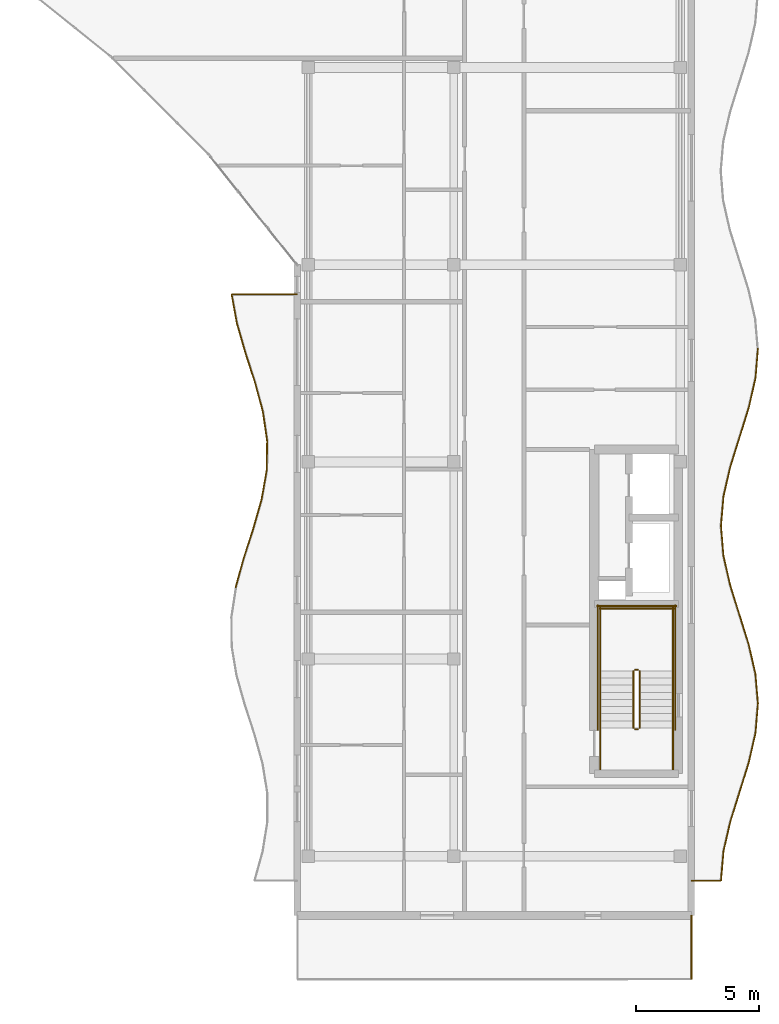
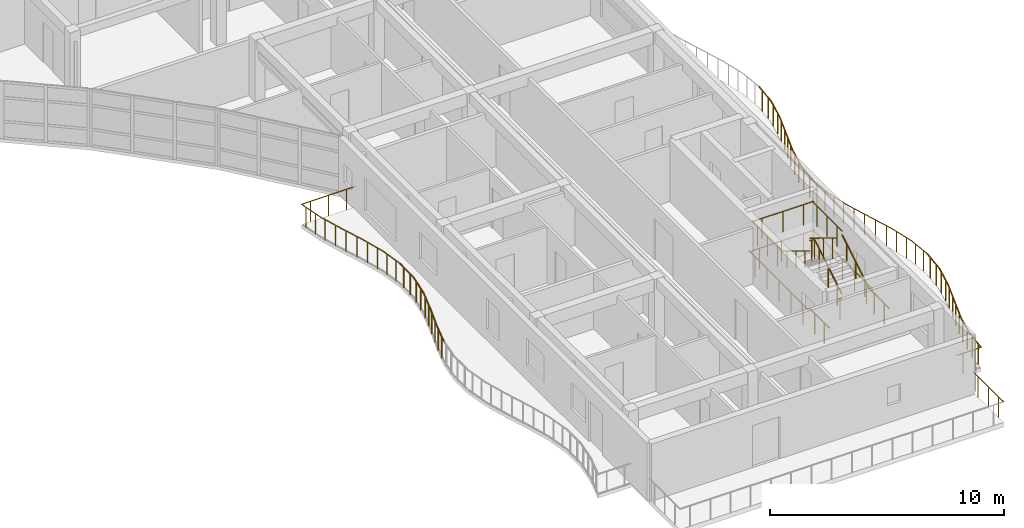
# One storey, part 28 of 30: 45 railings.
"""IFC4 building model written with IfcOpenShell, lengths in metres."""

from ifc_helpers import new_model, si_unit, direction, frame, origin, origin_2d, place, context, subcontext, project, spatial, circle, extrude, material, type_object, element, save


model = new_model("IFC4")

# Units and contexts
model_context = context("Model", 3, precision=1e-05, world=origin(), true_north=direction((0.0, 1.0)))
body_context = subcontext(model_context, "Body", "Model", "MODEL_VIEW")
ifc_project = project(units=[si_unit("LENGTHUNIT", "METRE"), si_unit("AREAUNIT", "SQUARE_METRE"), si_unit("VOLUMEUNIT", "CUBIC_METRE"), si_unit("PLANEANGLEUNIT", "RADIAN"), si_unit("MASSUNIT", "GRAM", prefix="KILO")], contexts=[model_context])

# Site, building, storey
site_placement = place(None, origin())
site = spatial("IfcSite", under=ifc_project, at=site_placement, CompositionType="ELEMENT")
building_placement = place(site_placement, origin())
building = spatial("IfcBuilding", under=site, at=building_placement, Name="Keldmere Railside Commons", CompositionType="ELEMENT")
storey_placement = place(building_placement, frame((0.0, 0.0, 36.159912109375)))
storey = spatial("IfcBuildingStorey", under=building, at=storey_placement, Name="L11", CompositionType="ELEMENT", Elevation=36.159912109375)

# Railings
ifc_material = material(Name="Steel F-24 (S235)", Category="steel")
railing_type_1 = type_object("IfcRailingType", Name="Balcony & Terrace Steel Balustrade 1100", PredefinedType="BALUSTRADE", material=ifc_material)
railing_1_placement = place(storey_placement, frame((165.50390625, 74.89990234375, 0.0)))
element("IfcRailing", 1, at=railing_1_placement, inside=storey, type_object=railing_type_1, Name="GR-1 GRD-L11-4476", PredefinedType="BALUSTRADE", context=body_context, shape_type="SweptSolid", body=[
    extrude(circle(Radius=0.02392578125, at=origin_2d()), frame((0.0, 0.0, 1.076171875), z_axis=(0.265041552489, 0.964236991333, 0.0), x_axis=(-0.964236991333, 0.265041552489, 0.0)), (0.0, 0.0, 1.0), 1.234375),
    extrude(circle(Radius=0.02099609375, at=origin_2d()), frame((0.081787109375, 0.297607421875, 0.0)), (0.0, 0.0, 1.0), 1.048095703125),
    extrude(circle(Radius=0.02099609375, at=origin_2d()), frame((0.245361328125, 0.892578125, 0.0)), (0.0, 0.0, 1.0), 1.048095703125),
])
railing_2_placement = place(storey_placement, frame((165.8310546875, 76.090087890625, 0.0)))
element("IfcRailing", 2, at=railing_2_placement, inside=storey, type_object=railing_type_1, Name="GR-1 GRD-L11-4477", PredefinedType="BALUSTRADE", context=body_context, shape_type="SweptSolid", body=[
    extrude(circle(Radius=0.02392578125, at=origin_2d()), frame((0.0, 0.0, 1.076171875), z_axis=(0.30766435108, 0.951494953783, 0.0), x_axis=(-0.951494953783, 0.30766435108, 0.0)), (0.0, 0.0, 1.0), 1.25048828125),
    extrude(circle(Radius=0.02099609375, at=origin_2d()), frame((0.09619140625, 0.29736328125, 0.0)), (0.0, 0.0, 1.0), 1.048095703125),
    extrude(circle(Radius=0.02099609375, at=origin_2d()), frame((0.28857421875, 0.892578125, 0.0)), (0.0, 0.0, 1.0), 1.048095703125),
])
railing_3_placement = place(storey_placement, frame((166.2158203125, 77.280029296875, 0.0)))
element("IfcRailing", 3, at=railing_3_placement, inside=storey, type_object=railing_type_1, Name="GR-1 GRD-L11-4478", PredefinedType="BALUSTRADE", context=body_context, shape_type="SweptSolid", body=[
    extrude(circle(Radius=0.02392578125, at=origin_2d()), frame((0.0, 0.0, 1.076171875), z_axis=(0.275528552467, 0.961292888133, 0.0), x_axis=(-0.961292888133, 0.275528552467, 0.0)), (0.0, 0.0, 1.0), 1.23779296875),
    extrude(circle(Radius=0.02099609375, at=origin_2d()), frame((0.085205078125, 0.29736328125, 0.0)), (0.0, 0.0, 1.0), 1.048095703125),
    extrude(circle(Radius=0.02099609375, at=origin_2d()), frame((0.255859375, 0.892578125, 0.0)), (0.0, 0.0, 1.0), 1.048095703125),
])
railing_4_placement = place(storey_placement, frame((166.556884765625, 78.469970703125, 0.0)))
element("IfcRailing", 4, at=railing_4_placement, inside=storey, type_object=railing_type_1, Name="GR-1 GRD-L11-4479", PredefinedType="BALUSTRADE", context=body_context, shape_type="SweptSolid", body=[
    extrude(circle(Radius=0.02392578125, at=origin_2d()), frame((0.0, 0.0, 1.076171875), z_axis=(0.171801766482, 0.98513154098, 0.0), x_axis=(-0.98513154098, 0.171801766482, 0.0)), (0.0, 0.0, 1.0), 1.2080078125),
    extrude(circle(Radius=0.02099609375, at=origin_2d()), frame((0.0517578125, 0.29736328125, 0.0)), (0.0, 0.0, 1.0), 1.048095703125),
    extrude(circle(Radius=0.02099609375, at=origin_2d()), frame((0.15576171875, 0.892578125, 0.0)), (0.0, 0.0, 1.0), 1.048095703125),
])
railing_5_placement = place(storey_placement, frame((166.764404296875, 79.659912109375, 0.0)))
element("IfcRailing", 5, at=railing_5_placement, inside=storey, type_object=railing_type_1, Name="GR-1 GRD-L11-4480", PredefinedType="BALUSTRADE", context=body_context, shape_type="SweptSolid", body=[
    extrude(circle(Radius=0.02392578125, at=origin_2d()), frame((0.0, 0.0, 1.076171875), z_axis=(0.016203000841, 0.999868722765, 0.0), x_axis=(-0.999868722765, 0.016203000841, 0.0)), (0.0, 0.0, 1.0), 1.1904296875),
    extrude(circle(Radius=0.02099609375, at=origin_2d()), frame((0.0048828125, 0.297607421875, 0.0)), (0.0, 0.0, 1.0), 1.048095703125),
    extrude(circle(Radius=0.02099609375, at=origin_2d()), frame((0.014404296875, 0.892578125, 0.0)), (0.0, 0.0, 1.0), 1.048095703125),
])
railing_6_placement = place(storey_placement, frame((166.78369140625, 80.85009765625, 0.0)))
element("IfcRailing", 6, at=railing_6_placement, inside=storey, type_object=railing_type_1, Name="GR-1 GRD-L11-4481", PredefinedType="BALUSTRADE", context=body_context, shape_type="SweptSolid", body=[
    extrude(circle(Radius=0.02392578125, at=origin_2d()), frame((0.0, 0.0, 1.076171875), z_axis=(-0.144944603413, 0.98943977176, 0.0), x_axis=(-0.98943977176, -0.144944603413, 0.0)), (0.0, 0.0, 1.0), 1.20263671875),
    extrude(circle(Radius=0.02099609375, at=origin_2d()), frame((-0.04345703125, 0.29736328125, 0.0)), (0.0, 0.0, 1.0), 1.048095703125),
    extrude(circle(Radius=0.02099609375, at=origin_2d()), frame((-0.130859375, 0.892578125, 0.0)), (0.0, 0.0, 1.0), 1.048095703125),
])
railing_7_placement = place(storey_placement, frame((166.609375, 82.0400390625, 0.0)))
element("IfcRailing", 7, at=railing_7_placement, inside=storey, type_object=railing_type_1, Name="GR-1 GRD-L11-4482", PredefinedType="BALUSTRADE", context=body_context, shape_type="SweptSolid", body=[
    extrude(circle(Radius=0.02392578125, at=origin_2d()), frame((0.0, 0.0, 1.076171875), z_axis=(-0.261038723632, 0.965328330033, 0.0), x_axis=(-0.965328330033, -0.261038723632, 0.0)), (0.0, 0.0, 1.0), 1.232666015625),
    extrude(circle(Radius=0.02099609375, at=origin_2d()), frame((-0.08056640625, 0.29736328125, 0.0)), (0.0, 0.0, 1.0), 1.048095703125),
    extrude(circle(Radius=0.02099609375, at=origin_2d()), frame((-0.2412109375, 0.892578125, 0.0)), (0.0, 0.0, 1.0), 1.048095703125),
])
railing_8_placement = place(storey_placement, frame((166.28759765625, 83.22998046875, 0.0)))
element("IfcRailing", 8, at=railing_8_placement, inside=storey, type_object=railing_type_1, Name="GR-1 GRD-L11-4483", PredefinedType="BALUSTRADE", context=body_context, shape_type="SweptSolid", body=[
    extrude(circle(Radius=0.02392578125, at=origin_2d()), frame((0.0, 0.0, 1.076171875), z_axis=(-0.307310808141, 0.951609198779, 0.0), x_axis=(-0.951609198779, -0.307310808141, 0.0)), (0.0, 0.0, 1.0), 1.25048828125),
    extrude(circle(Radius=0.02099609375, at=origin_2d()), frame((-0.09619140625, 0.29736328125, 0.0)), (0.0, 0.0, 1.0), 1.048095703125),
    extrude(circle(Radius=0.02099609375, at=origin_2d()), frame((-0.2880859375, 0.892578125, 0.0)), (0.0, 0.0, 1.0), 1.048095703125),
])
railing_9_placement = place(storey_placement, frame((165.9033203125, 84.419921875, 0.0)))
element("IfcRailing", 9, at=railing_9_placement, inside=storey, type_object=railing_type_1, Name="GR-1 GRD-L11-4484", PredefinedType="BALUSTRADE", context=body_context, shape_type="SweptSolid", body=[
    extrude(circle(Radius=0.02392578125, at=origin_2d()), frame((0.0, 0.0, 1.076171875), z_axis=(-0.278751586617, 0.960363240112, 0.0), x_axis=(-0.960363240112, -0.278751586617, 0.0)), (0.0, 0.0, 1.0), 1.2392578125),
    extrude(circle(Radius=0.02099609375, at=origin_2d()), frame((-0.08642578125, 0.297607421875, 0.0)), (0.0, 0.0, 1.0), 1.048095703125),
    extrude(circle(Radius=0.02099609375, at=origin_2d()), frame((-0.259033203125, 0.892578125, 0.0)), (0.0, 0.0, 1.0), 1.048095703125),
])
railing_10_placement = place(storey_placement, frame((165.557861328125, 85.610107421875, 0.0)))
element("IfcRailing", 10, at=railing_10_placement, inside=storey, type_object=railing_type_1, Name="GR-1 GRD-L11-4485", PredefinedType="BALUSTRADE", context=body_context, shape_type="SweptSolid", body=[
    extrude(circle(Radius=0.02392578125, at=origin_2d()), frame((0.0, 0.0, 1.076171875), z_axis=(-0.178654494581, 0.983911871849, 0.0), x_axis=(-0.983911871849, -0.178654494581, 0.0)), (0.0, 0.0, 1.0), 1.20947265625),
    extrude(circle(Radius=0.02099609375, at=origin_2d()), frame((-0.053955078125, 0.29736328125, 0.0)), (0.0, 0.0, 1.0), 1.048095703125),
    extrude(circle(Radius=0.02099609375, at=origin_2d()), frame((-0.162109375, 0.892578125, 0.0)), (0.0, 0.0, 1.0), 1.048095703125),
])
railing_11_placement = place(storey_placement, frame((165.341796875, 86.800048828125, 0.0)))
element("IfcRailing", 11, at=railing_11_placement, inside=storey, type_object=railing_type_1, Name="GR-1 GRD-L11-4486", PredefinedType="BALUSTRADE", context=body_context, shape_type="SweptSolid", body=[
    extrude(circle(Radius=0.02392578125, at=origin_2d()), frame((0.0, 0.0, 1.076171875), z_axis=(1.0, 0.0, 0.0), x_axis=(0.0, 1.0, 0.0)), (0.0, 0.0, 1.0), 2.658203125),
    extrude(circle(Radius=0.02099609375, at=origin_2d()), frame((0.443115234375, 0.0, 0.0)), (0.0, 0.0, 1.0), 1.048095703125),
    extrude(circle(Radius=0.02099609375, at=origin_2d()), frame((1.3291015625, 0.0, 0.0)), (0.0, 0.0, 1.0), 1.048095703125),
    extrude(circle(Radius=0.02099609375, at=origin_2d()), frame((2.215087890625, 0.0, 0.0)), (0.0, 0.0, 1.0), 1.048095703125),
])
railing_12_placement = place(storey_placement, frame((184.0, 63.0, 0.0)))
element("IfcRailing", 12, at=railing_12_placement, inside=storey, type_object=railing_type_1, Name="GR-1 GRD-L11-4487", PredefinedType="BALUSTRADE", context=body_context, shape_type="SweptSolid", body=[
    extrude(circle(Radius=0.02392578125, at=origin_2d()), frame((0.0, 0.0, 1.076171875), z_axis=(1.0, 0.0, 0.0), x_axis=(0.0, 1.0, 0.0)), (0.0, 0.0, 1.0), 1.199951171875),
    extrude(circle(Radius=0.02099609375, at=origin_2d()), frame((0.300048828125, 0.0, 0.0)), (0.0, 0.0, 1.0), 1.048095703125),
    extrude(circle(Radius=0.02099609375, at=origin_2d()), frame((0.89990234375, 0.0, 0.0)), (0.0, 0.0, 1.0), 1.048095703125),
])
railing_13_placement = place(storey_placement, frame((185.199951171875, 63.0, 0.0)))
element("IfcRailing", 13, at=railing_13_placement, inside=storey, type_object=railing_type_1, Name="GR-1 GRD-L11-4488", PredefinedType="BALUSTRADE", context=body_context, shape_type="SweptSolid", body=[
    extrude(circle(Radius=0.02392578125, at=origin_2d()), frame((0.0, 0.0, 1.076171875), z_axis=(0.084739877729, 0.996403107744, 0.0), x_axis=(-0.996403107744, 0.084739877729, 0.0)), (0.0, 0.0, 1.0), 1.204345703125),
    extrude(circle(Radius=0.02099609375, at=origin_2d()), frame((0.025390625, 0.300048828125, 0.0)), (0.0, 0.0, 1.0), 1.048095703125),
    extrude(circle(Radius=0.02099609375, at=origin_2d()), frame((0.07666015625, 0.89990234375, 0.0)), (0.0, 0.0, 1.0), 1.048095703125),
])
railing_14_placement = place(storey_placement, frame((185.302001953125, 64.199951171875, 0.0)))
element("IfcRailing", 14, at=railing_14_placement, inside=storey, type_object=railing_type_1, Name="GR-1 GRD-L11-4489", PredefinedType="BALUSTRADE", context=body_context, shape_type="SweptSolid", body=[
    extrude(circle(Radius=0.02392578125, at=origin_2d()), frame((0.0, 0.0, 1.076171875), z_axis=(0.224062946507, 0.974574674411, 0.0), x_axis=(-0.974574674411, 0.224062946507, 0.0)), (0.0, 0.0, 1.0), 1.231201171875),
    extrude(circle(Radius=0.02099609375, at=origin_2d()), frame((0.06884765625, 0.300048828125, 0.0)), (0.0, 0.0, 1.0), 1.048095703125),
    extrude(circle(Radius=0.02099609375, at=origin_2d()), frame((0.20703125, 0.89990234375, 0.0)), (0.0, 0.0, 1.0), 1.048095703125),
])
railing_15_placement = place(storey_placement, frame((185.577880859375, 65.39990234375, 0.0)))
element("IfcRailing", 15, at=railing_15_placement, inside=storey, type_object=railing_type_1, Name="GR-1 GRD-L11-4490", PredefinedType="BALUSTRADE", context=body_context, shape_type="SweptSolid", body=[
    extrude(circle(Radius=0.02392578125, at=origin_2d()), frame((0.0, 0.0, 1.076171875), z_axis=(0.298584493099, 0.954383204211, 0.0), x_axis=(-0.954383204211, 0.298584493099, 0.0)), (0.0, 0.0, 1.0), 1.257568359375),
    extrude(circle(Radius=0.02099609375, at=origin_2d()), frame((0.09375, 0.300048828125, 0.0)), (0.0, 0.0, 1.0), 1.048095703125),
    extrude(circle(Radius=0.02099609375, at=origin_2d()), frame((0.28173828125, 0.900146484375, 0.0)), (0.0, 0.0, 1.0), 1.048095703125),
])
railing_16_placement = place(storey_placement, frame((185.953369140625, 66.60009765625, 0.0)))
element("IfcRailing", 16, at=railing_16_placement, inside=storey, type_object=railing_type_1, Name="GR-1 GRD-L11-4491", PredefinedType="BALUSTRADE", context=body_context, shape_type="SweptSolid", body=[
    extrude(circle(Radius=0.02392578125, at=origin_2d()), frame((0.0, 0.0, 1.076171875), z_axis=(0.297932152933, 0.954587048021, 0.0), x_axis=(-0.954587048021, 0.297932152933, 0.0)), (0.0, 0.0, 1.0), 1.257080078125),
    extrude(circle(Radius=0.02099609375, at=origin_2d()), frame((0.09375, 0.300048828125, 0.0)), (0.0, 0.0, 1.0), 1.048095703125),
    extrude(circle(Radius=0.02099609375, at=origin_2d()), frame((0.28076171875, 0.89990234375, 0.0)), (0.0, 0.0, 1.0), 1.048095703125),
])
railing_17_placement = place(storey_placement, frame((186.327880859375, 67.800048828125, 0.0)))
element("IfcRailing", 17, at=railing_17_placement, inside=storey, type_object=railing_type_1, Name="GR-1 GRD-L11-4492", PredefinedType="BALUSTRADE", context=body_context, shape_type="SweptSolid", body=[
    extrude(circle(Radius=0.02392578125, at=origin_2d()), frame((0.0, 0.0, 1.076171875), z_axis=(0.222178384067, 0.97500603365, 0.0), x_axis=(-0.97500603365, 0.222178384067, 0.0)), (0.0, 0.0, 1.0), 1.230712890625),
    extrude(circle(Radius=0.02099609375, at=origin_2d()), frame((0.068359375, 0.300048828125, 0.0)), (0.0, 0.0, 1.0), 1.048095703125),
    extrude(circle(Radius=0.02099609375, at=origin_2d()), frame((0.205078125, 0.89990234375, 0.0)), (0.0, 0.0, 1.0), 1.048095703125),
])
railing_18_placement = place(storey_placement, frame((186.601318359375, 69.0, 0.0)))
element("IfcRailing", 18, at=railing_18_placement, inside=storey, type_object=railing_type_1, Name="GR-1 GRD-L11-4493", PredefinedType="BALUSTRADE", context=body_context, shape_type="SweptSolid", body=[
    extrude(circle(Radius=0.02392578125, at=origin_2d()), frame((0.0, 0.0, 1.076171875), z_axis=(0.081921074928, 0.996638819976, 0.0), x_axis=(-0.996638819976, 0.081921074928, 0.0)), (0.0, 0.0, 1.0), 1.2041015625),
    extrude(circle(Radius=0.02099609375, at=origin_2d()), frame((0.024658203125, 0.300048828125, 0.0)), (0.0, 0.0, 1.0), 1.048095703125),
    extrude(circle(Radius=0.02099609375, at=origin_2d()), frame((0.073974609375, 0.89990234375, 0.0)), (0.0, 0.0, 1.0), 1.048095703125),
])
railing_19_placement = place(storey_placement, frame((186.699951171875, 70.199951171875, 0.0)))
element("IfcRailing", 19, at=railing_19_placement, inside=storey, type_object=railing_type_1, Name="GR-1 GRD-L11-4494", PredefinedType="BALUSTRADE", context=body_context, shape_type="SweptSolid", body=[
    extrude(circle(Radius=0.02392578125, at=origin_2d()), frame((0.0, 0.0, 1.076171875), z_axis=(-0.084739877729, 0.996403107744, 0.0), x_axis=(-0.996403107744, -0.084739877729, 0.0)), (0.0, 0.0, 1.0), 1.204345703125),
    extrude(circle(Radius=0.02099609375, at=origin_2d()), frame((-0.025390625, 0.300048828125, 0.0)), (0.0, 0.0, 1.0), 1.048095703125),
    extrude(circle(Radius=0.02099609375, at=origin_2d()), frame((-0.07666015625, 0.89990234375, 0.0)), (0.0, 0.0, 1.0), 1.048095703125),
])
railing_20_placement = place(storey_placement, frame((186.597900390625, 71.39990234375, 0.0)))
element("IfcRailing", 20, at=railing_20_placement, inside=storey, type_object=railing_type_1, Name="GR-1 GRD-L11-4495", PredefinedType="BALUSTRADE", context=body_context, shape_type="SweptSolid", body=[
    extrude(circle(Radius=0.02392578125, at=origin_2d()), frame((0.0, 0.0, 1.076171875), z_axis=(-0.224019655762, 0.974584626306, 0.0), x_axis=(-0.974584626306, -0.224019655762, 0.0)), (0.0, 0.0, 1.0), 1.2314453125),
    extrude(circle(Radius=0.02099609375, at=origin_2d()), frame((-0.06884765625, 0.300048828125, 0.0)), (0.0, 0.0, 1.0), 1.048095703125),
    extrude(circle(Radius=0.02099609375, at=origin_2d()), frame((-0.20703125, 0.900146484375, 0.0)), (0.0, 0.0, 1.0), 1.048095703125),
])
railing_21_placement = place(storey_placement, frame((186.322021484375, 72.60009765625, 0.0)))
element("IfcRailing", 21, at=railing_21_placement, inside=storey, type_object=railing_type_1, Name="GR-1 GRD-L11-4496", PredefinedType="BALUSTRADE", context=body_context, shape_type="SweptSolid", body=[
    extrude(circle(Radius=0.02392578125, at=origin_2d()), frame((0.0, 0.0, 1.076171875), z_axis=(-0.298462953287, 0.954421220172, 0.0), x_axis=(-0.954421220172, -0.298462953287, 0.0)), (0.0, 0.0, 1.0), 1.25732421875),
    extrude(circle(Radius=0.02099609375, at=origin_2d()), frame((-0.09375, 0.300048828125, 0.0)), (0.0, 0.0, 1.0), 1.048095703125),
    extrude(circle(Radius=0.02099609375, at=origin_2d()), frame((-0.281494140625, 0.89990234375, 0.0)), (0.0, 0.0, 1.0), 1.048095703125),
])
railing_22_placement = place(storey_placement, frame((185.94677734375, 73.800048828125, 0.0)))
element("IfcRailing", 22, at=railing_22_placement, inside=storey, type_object=railing_type_1, Name="GR-1 GRD-L11-4497", PredefinedType="BALUSTRADE", context=body_context, shape_type="SweptSolid", body=[
    extrude(circle(Radius=0.02392578125, at=origin_2d()), frame((0.0, 0.0, 1.076171875), z_axis=(-0.298109117121, 0.954531798469, 0.0), x_axis=(-0.954531798469, -0.298109117121, 0.0)), (0.0, 0.0, 1.0), 1.257080078125),
    extrude(circle(Radius=0.02099609375, at=origin_2d()), frame((-0.09375, 0.300048828125, 0.0)), (0.0, 0.0, 1.0), 1.048095703125),
    extrude(circle(Radius=0.02099609375, at=origin_2d()), frame((-0.281005859375, 0.89990234375, 0.0)), (0.0, 0.0, 1.0), 1.048095703125),
])
railing_23_placement = place(storey_placement, frame((185.572021484375, 75.0, 0.0)))
element("IfcRailing", 23, at=railing_23_placement, inside=storey, type_object=railing_type_1, Name="GR-1 GRD-L11-4498", PredefinedType="BALUSTRADE", context=body_context, shape_type="SweptSolid", body=[
    extrude(circle(Radius=0.02392578125, at=origin_2d()), frame((0.0, 0.0, 1.076171875), z_axis=(-0.221989790405, 0.975048990029, 0.0), x_axis=(-0.975048990029, -0.221989790405, 0.0)), (0.0, 0.0, 1.0), 1.230712890625),
    extrude(circle(Radius=0.02099609375, at=origin_2d()), frame((-0.068359375, 0.300048828125, 0.0)), (0.0, 0.0, 1.0), 1.048095703125),
    extrude(circle(Radius=0.02099609375, at=origin_2d()), frame((-0.204833984375, 0.89990234375, 0.0)), (0.0, 0.0, 1.0), 1.048095703125),
])
railing_24_placement = place(storey_placement, frame((185.298828125, 76.199951171875, 0.0)))
element("IfcRailing", 24, at=railing_24_placement, inside=storey, type_object=railing_type_1, Name="GR-1 GRD-L11-4499", PredefinedType="BALUSTRADE", context=body_context, shape_type="SweptSolid", body=[
    extrude(circle(Radius=0.02392578125, at=origin_2d()), frame((0.0, 0.0, 1.076171875), z_axis=(-0.082122484008, 0.996622244193, 0.0), x_axis=(-0.996622244193, -0.082122484008, 0.0)), (0.0, 0.0, 1.0), 1.2041015625),
    extrude(circle(Radius=0.02099609375, at=origin_2d()), frame((-0.024658203125, 0.300048828125, 0.0)), (0.0, 0.0, 1.0), 1.048095703125),
    extrude(circle(Radius=0.02099609375, at=origin_2d()), frame((-0.07421875, 0.89990234375, 0.0)), (0.0, 0.0, 1.0), 1.048095703125),
])
railing_25_placement = place(storey_placement, frame((185.199951171875, 77.39990234375, 0.0)))
element("IfcRailing", 25, at=railing_25_placement, inside=storey, type_object=railing_type_1, Name="GR-1 GRD-L11-4500", PredefinedType="BALUSTRADE", context=body_context, shape_type="SweptSolid", body=[
    extrude(circle(Radius=0.02392578125, at=origin_2d()), frame((0.0, 0.0, 1.076171875), z_axis=(0.084722763905, 0.996404563055, 0.0), x_axis=(-0.996404563055, 0.084722763905, 0.0)), (0.0, 0.0, 1.0), 1.20458984375),
    extrude(circle(Radius=0.02099609375, at=origin_2d()), frame((0.025390625, 0.300048828125, 0.0)), (0.0, 0.0, 1.0), 1.048095703125),
    extrude(circle(Radius=0.02099609375, at=origin_2d()), frame((0.07666015625, 0.900146484375, 0.0)), (0.0, 0.0, 1.0), 1.048095703125),
])
railing_26_placement = place(storey_placement, frame((185.302001953125, 78.60009765625, 0.0)))
element("IfcRailing", 26, at=railing_26_placement, inside=storey, type_object=railing_type_1, Name="GR-1 GRD-L11-4501", PredefinedType="BALUSTRADE", context=body_context, shape_type="SweptSolid", body=[
    extrude(circle(Radius=0.02392578125, at=origin_2d()), frame((0.0, 0.0, 1.076171875), z_axis=(0.224062946507, 0.974574674411, 0.0), x_axis=(-0.974574674411, 0.224062946507, 0.0)), (0.0, 0.0, 1.0), 1.231201171875),
    extrude(circle(Radius=0.02099609375, at=origin_2d()), frame((0.06884765625, 0.300048828125, 0.0)), (0.0, 0.0, 1.0), 1.048095703125),
    extrude(circle(Radius=0.02099609375, at=origin_2d()), frame((0.20703125, 0.89990234375, 0.0)), (0.0, 0.0, 1.0), 1.048095703125),
])
railing_27_placement = place(storey_placement, frame((185.577880859375, 79.800048828125, 0.0)))
element("IfcRailing", 27, at=railing_27_placement, inside=storey, type_object=railing_type_1, Name="GR-1 GRD-L11-4502", PredefinedType="BALUSTRADE", context=body_context, shape_type="SweptSolid", body=[
    extrude(circle(Radius=0.02392578125, at=origin_2d()), frame((0.0, 0.0, 1.076171875), z_axis=(0.298639825242, 0.954365891459, 0.0), x_axis=(-0.954365891459, 0.298639825242, 0.0)), (0.0, 0.0, 1.0), 1.25732421875),
    extrude(circle(Radius=0.02099609375, at=origin_2d()), frame((0.09375, 0.300048828125, 0.0)), (0.0, 0.0, 1.0), 1.048095703125),
    extrude(circle(Radius=0.02099609375, at=origin_2d()), frame((0.28173828125, 0.89990234375, 0.0)), (0.0, 0.0, 1.0), 1.048095703125),
])
railing_28_placement = place(storey_placement, frame((185.953369140625, 81.0, 0.0)))
element("IfcRailing", 28, at=railing_28_placement, inside=storey, type_object=railing_type_1, Name="GR-1 GRD-L11-4503", PredefinedType="BALUSTRADE", context=body_context, shape_type="SweptSolid", body=[
    extrude(circle(Radius=0.02392578125, at=origin_2d()), frame((0.0, 0.0, 1.076171875), z_axis=(0.297932152933, 0.954587048021, 0.0), x_axis=(-0.954587048021, 0.297932152933, 0.0)), (0.0, 0.0, 1.0), 1.257080078125),
    extrude(circle(Radius=0.02099609375, at=origin_2d()), frame((0.09375, 0.300048828125, 0.0)), (0.0, 0.0, 1.0), 1.048095703125),
    extrude(circle(Radius=0.02099609375, at=origin_2d()), frame((0.28076171875, 0.89990234375, 0.0)), (0.0, 0.0, 1.0), 1.048095703125),
])
railing_29_placement = place(storey_placement, frame((186.327880859375, 82.199951171875, 0.0)))
element("IfcRailing", 29, at=railing_29_placement, inside=storey, type_object=railing_type_1, Name="GR-1 GRD-L11-4504", PredefinedType="BALUSTRADE", context=body_context, shape_type="SweptSolid", body=[
    extrude(circle(Radius=0.02392578125, at=origin_2d()), frame((0.0, 0.0, 1.076171875), z_axis=(0.222178384067, 0.97500603365, 0.0), x_axis=(-0.97500603365, 0.222178384067, 0.0)), (0.0, 0.0, 1.0), 1.230712890625),
    extrude(circle(Radius=0.02099609375, at=origin_2d()), frame((0.068359375, 0.300048828125, 0.0)), (0.0, 0.0, 1.0), 1.048095703125),
    extrude(circle(Radius=0.02099609375, at=origin_2d()), frame((0.205078125, 0.89990234375, 0.0)), (0.0, 0.0, 1.0), 1.048095703125),
])
railing_30_placement = place(storey_placement, frame((186.601318359375, 83.39990234375, 0.0)))
element("IfcRailing", 30, at=railing_30_placement, inside=storey, type_object=railing_type_1, Name="GR-1 GRD-L11-4505", PredefinedType="BALUSTRADE", context=body_context, shape_type="SweptSolid", body=[
    extrude(circle(Radius=0.02392578125, at=origin_2d()), frame((0.0, 0.0, 1.076171875), z_axis=(0.081904522555, 0.996640180399, 0.0), x_axis=(-0.996640180399, 0.081904522555, 0.0)), (0.0, 0.0, 1.0), 1.204345703125),
    extrude(circle(Radius=0.02099609375, at=origin_2d()), frame((0.024658203125, 0.300048828125, 0.0)), (0.0, 0.0, 1.0), 1.048095703125),
    extrude(circle(Radius=0.02099609375, at=origin_2d()), frame((0.073974609375, 0.900146484375, 0.0)), (0.0, 0.0, 1.0), 1.048095703125),
])
railing_31_placement = place(storey_placement, frame((184.0, 59.0, 0.0)))
element("IfcRailing", 31, at=railing_31_placement, inside=storey, type_object=railing_type_1, Name="GR-1 GRD-L11-4543", PredefinedType="BALUSTRADE", context=body_context, shape_type="SweptSolid", body=[
    extrude(circle(Radius=0.02392578125, at=origin_2d()), frame((0.0, 0.0, 1.076171875), z_axis=(0.0, 1.0, 0.0), x_axis=(-1.0, 0.0, 0.0)), (0.0, 0.0, 1.0), 2.60009765625),
    extrude(circle(Radius=0.02099609375, at=origin_2d()), frame((0.0, 0.433349609375, 0.0)), (0.0, 0.0, 1.0), 1.048095703125),
    extrude(circle(Radius=0.02099609375, at=origin_2d()), frame((0.0, 1.300048828125, 0.0)), (0.0, 0.0, 1.0), 1.048095703125),
    extrude(circle(Radius=0.02099609375, at=origin_2d()), frame((0.0, 2.166748046875, 0.0)), (0.0, 0.0, 1.0), 1.048095703125),
])
railing_type_2 = type_object("IfcRailingType", Name="Stair Well Steel Guardrail 1100", PredefinedType="BALUSTRADE", material=ifc_material)
railing_32_placement = place(storey_placement, frame((181.89990234375, 69.199951171875, 0.177978515625)))
element("IfcRailing", 32, at=railing_32_placement, inside=storey, type_object=railing_type_2, Name="L11 ST-A1 stair guard 1", PredefinedType="BALUSTRADE", context=body_context, shape_type="SweptSolid", body=[
    extrude(circle(Radius=0.02392578125, at=origin_2d()), frame((0.0, 0.0, 1.076171875), z_axis=(0.0, 0.852578041948, 0.522599925744), x_axis=(-1.0, 0.0, 0.0)), (0.0, 0.0, 1.0), 2.72119140625),
    extrude(circle(Radius=0.02099609375, at=origin_2d()), frame((0.0, 0.38671875, 0.237060546875)), (0.0, 0.0, 1.0), 1.048095703125),
    extrude(circle(Radius=0.02099609375, at=origin_2d()), frame((0.0, 1.16015625, 0.7109375)), (0.0, 0.0, 1.0), 1.048095703125),
    extrude(circle(Radius=0.02099609375, at=origin_2d()), frame((0.0, 1.933349609375, 1.18505859375)), (0.0, 0.0, 1.0), 1.048095703125),
])
railing_33_placement = place(storey_placement, frame((181.85009765625, 71.570068359375, 1.60009765625)))
element("IfcRailing", 33, at=railing_33_placement, inside=storey, type_object=railing_type_2, Name="L11 ST-A1 stair guard 2", PredefinedType="BALUSTRADE", context=body_context, shape_type="SweptSolid", body=[
    extrude(circle(Radius=0.02392578125, at=origin_2d()), frame((0.0, 0.0, 1.076171875), z_axis=(-1.0, 0.0, 0.0), x_axis=(0.0, -1.0, 0.0)), (0.0, 0.0, 1.0), 0.150146484375),
    extrude(circle(Radius=0.02099609375, at=origin_2d()), frame((-0.0751953125, 0.0, 0.0)), (0.0, 0.0, 1.0), 1.048095703125),
])
for number, where, name in (
    (34, (183.25, 71.52001953125, 1.60009765625), "L11 ST-A1 stair guard 3"),
    (35, (180.300048828125, 71.52001953125, 1.60009765625), "L11 ST-A1 stair guard 4"),
):
    element("IfcRailing", number, at=place(storey_placement, frame(where)), inside=storey, type_object=railing_type_2, Name=name, PredefinedType="BALUSTRADE", context=body_context, shape_type="SweptSolid", body=[
        extrude(circle(Radius=0.02392578125, at=origin_2d()), frame((0.0, 0.0, 1.076171875), z_axis=(0.0, 1.0, 0.0), x_axis=(-1.0, 0.0, 0.0)), (0.0, 0.0, 1.0), 2.580078125),
        extrude(circle(Radius=0.02099609375, at=origin_2d()), frame((0.0, 0.429931640625, 0.0)), (0.0, 0.0, 1.0), 1.048095703125),
        extrude(circle(Radius=0.02099609375, at=origin_2d()), frame((0.0, 1.2900390625, 0.0)), (0.0, 0.0, 1.0), 1.048095703125),
        extrude(circle(Radius=0.02099609375, at=origin_2d()), frame((0.0, 2.150146484375, 0.0)), (0.0, 0.0, 1.0), 1.048095703125),
    ])
railing_34_placement = place(storey_placement, frame((183.300048828125, 74.050048828125, 1.60009765625)))
element("IfcRailing", 36, at=railing_34_placement, inside=storey, type_object=railing_type_2, Name="L11 ST-A1 stair guard 5", PredefinedType="BALUSTRADE", context=body_context, shape_type="SweptSolid", body=[
    extrude(circle(Radius=0.02392578125, at=origin_2d()), frame((0.0, 0.0, 1.076171875), z_axis=(-1.0, 0.0, 0.0), x_axis=(0.0, -1.0, 0.0)), (0.0, 0.0, 1.0), 3.050048828125),
    extrude(circle(Radius=0.02099609375, at=origin_2d()), frame((-0.50830078125, 0.0, 0.0)), (0.0, 0.0, 1.0), 1.048095703125),
    extrude(circle(Radius=0.02099609375, at=origin_2d()), frame((-1.52490234375, 0.0, 0.0)), (0.0, 0.0, 1.0), 1.048095703125),
    extrude(circle(Radius=0.02099609375, at=origin_2d()), frame((-2.541748046875, 0.0, 0.0)), (0.0, 0.0, 1.0), 1.048095703125),
])
railing_35_placement = place(storey_placement, frame((181.64990234375, 71.52001953125, 1.77783203125)))
element("IfcRailing", 37, at=railing_35_placement, inside=storey, type_object=railing_type_2, Name="L11 ST-A1 stair guard 6", PredefinedType="BALUSTRADE", context=body_context, shape_type="SweptSolid", body=[
    extrude(circle(Radius=0.02392578125, at=origin_2d()), frame((0.0, 0.0, 1.076171875), z_axis=(0.0, -0.852538067394, 0.522665135287), x_axis=(1.0, 0.0, 0.0)), (0.0, 0.0, 1.0), 2.721435546875),
    extrude(circle(Radius=0.02099609375, at=origin_2d()), frame((0.0, -0.38671875, 0.237060546875)), (0.0, 0.0, 1.0), 1.048095703125),
    extrude(circle(Radius=0.02099609375, at=origin_2d()), frame((0.0, -1.16015625, 0.711181640625)), (0.0, 0.0, 1.0), 1.048095703125),
    extrude(circle(Radius=0.02099609375, at=origin_2d()), frame((0.0, -1.933349609375, 1.185302734375)), (0.0, 0.0, 1.0), 1.048095703125),
])
railing_36_placement = place(storey_placement, frame((181.85009765625, 69.14990234375, 0.0)))
element("IfcRailing", 38, at=railing_36_placement, inside=storey, type_object=railing_type_2, Name="L11 ST-A1 stair guard 7", PredefinedType="BALUSTRADE", context=body_context, shape_type="SweptSolid", body=[
    extrude(circle(Radius=0.02392578125, at=origin_2d()), frame((0.0, 0.0, 1.076171875), z_axis=(-1.0, 0.0, 0.0), x_axis=(0.0, -1.0, 0.0)), (0.0, 0.0, 1.0), 0.150146484375),
    extrude(circle(Radius=0.02099609375, at=origin_2d()), frame((-0.0751953125, 0.0, 0.0)), (0.0, 0.0, 1.0), 1.048095703125),
])
for number, where, name in (
    (39, (183.25, 67.5, 0.0), "L11 ST-A1 stair guard 8"),
    (40, (180.300048828125, 67.5, 0.0), "L11 ST-A1 stair guard 9"),
):
    element("IfcRailing", number, at=place(storey_placement, frame(where)), inside=storey, type_object=railing_type_2, Name=name, PredefinedType="BALUSTRADE", context=body_context, shape_type="SweptSolid", body=[
        extrude(circle(Radius=0.02392578125, at=origin_2d()), frame((0.0, 0.0, 1.076171875), z_axis=(0.0, 1.0, 0.0), x_axis=(-1.0, 0.0, 0.0)), (0.0, 0.0, 1.0), 1.699951171875),
        extrude(circle(Radius=0.02099609375, at=origin_2d()), frame((0.0, 0.425048828125, 0.0)), (0.0, 0.0, 1.0), 1.048095703125),
        extrude(circle(Radius=0.02099609375, at=origin_2d()), frame((0.0, 1.27490234375, 0.0)), (0.0, 0.0, 1.0), 1.048095703125),
    ])
for number, where, name in (
    (41, (183.35009765625, 69.10009765625, 0.0), "L11 ST-A1 stair guard 10"),
    (42, (180.199951171875, 69.10009765625, 0.0), "L11 ST-A1 stair guard 11"),
):
    element("IfcRailing", number, at=place(storey_placement, frame(where)), inside=storey, type_object=railing_type_2, Name=name, PredefinedType="BALUSTRADE", context=body_context, shape_type="SweptSolid", body=[
        extrude(circle(Radius=0.02392578125, at=origin_2d()), frame((0.0, 0.0, 1.076171875), z_axis=(0.0, 1.0, 0.0), x_axis=(-1.0, 0.0, 0.0)), (0.0, 0.0, 1.0), 5.099853515625),
        extrude(circle(Radius=0.02099609375, at=origin_2d()), frame((0.0, 0.510009765625, 0.0)), (0.0, 0.0, 1.0), 1.048095703125),
        extrude(circle(Radius=0.02099609375, at=origin_2d()), frame((0.0, 1.530029296875, 0.0)), (0.0, 0.0, 1.0), 1.048095703125),
        extrude(circle(Radius=0.02099609375, at=origin_2d()), frame((0.0, 2.5498046875, 0.0)), (0.0, 0.0, 1.0), 1.048095703125),
        extrude(circle(Radius=0.02099609375, at=origin_2d()), frame((0.0, 3.56982421875, 0.0)), (0.0, 0.0, 1.0), 1.048095703125),
        extrude(circle(Radius=0.02099609375, at=origin_2d()), frame((0.0, 4.58984375, 0.0)), (0.0, 0.0, 1.0), 1.048095703125),
    ])
railing_37_placement = place(storey_placement, frame((183.39990234375, 74.14990234375, 0.0)))
element("IfcRailing", 43, at=railing_37_placement, inside=storey, type_object=railing_type_2, Name="L11 ST-A1 stair guard 12", PredefinedType="BALUSTRADE", context=body_context, shape_type="SweptSolid", body=[
    extrude(circle(Radius=0.02392578125, at=origin_2d()), frame((0.0, 0.0, 1.076171875), z_axis=(-1.0, 0.0, 0.0), x_axis=(0.0, -1.0, 0.0)), (0.0, 0.0, 1.0), 3.25),
    extrude(circle(Radius=0.02099609375, at=origin_2d()), frame((-0.541748046875, 0.0, 0.0)), (0.0, 0.0, 1.0), 1.048095703125),
    extrude(circle(Radius=0.02099609375, at=origin_2d()), frame((-1.625, 0.0, 0.0)), (0.0, 0.0, 1.0), 1.048095703125),
    extrude(circle(Radius=0.02099609375, at=origin_2d()), frame((-2.708251953125, 0.0, 0.0)), (0.0, 0.0, 1.0), 1.048095703125),
])
railing_type_3 = type_object("IfcRailingType", Name="Wall-Mounted Tubular Steel Handrail 900", PredefinedType="HANDRAIL", material=ifc_material)
railing_38_placement = place(storey_placement, frame((183.25, 69.199951171875, 0.177978515625)))
element("IfcRailing", 44, at=railing_38_placement, inside=storey, type_object=railing_type_3, Name="L11 ST-A1 stair handrail 1", PredefinedType="HANDRAIL", context=body_context, shape_type="SweptSolid", body=[
    extrude(circle(Radius=0.02392578125, at=origin_2d()), frame((0.0, 0.0, 0.8759765625), z_axis=(0.0, 0.852578041948, 0.522599925744), x_axis=(-1.0, 0.0, 0.0)), (0.0, 0.0, 1.0), 2.72119140625),
    extrude(circle(Radius=0.02099609375, at=origin_2d()), frame((0.0, 0.38671875, 0.237060546875)), (0.0, 0.0, 1.0), 0.847900390625),
    extrude(circle(Radius=0.02099609375, at=origin_2d()), frame((0.0, 1.16015625, 0.7109375)), (0.0, 0.0, 1.0), 0.847900390625),
    extrude(circle(Radius=0.02099609375, at=origin_2d()), frame((0.0, 1.933349609375, 1.18505859375)), (0.0, 0.0, 1.0), 0.847900390625),
])
railing_39_placement = place(storey_placement, frame((180.300048828125, 71.52001953125, 1.77783203125)))
element("IfcRailing", 45, at=railing_39_placement, inside=storey, type_object=railing_type_3, Name="L11 ST-A1 stair handrail 2", PredefinedType="HANDRAIL", context=body_context, shape_type="SweptSolid", body=[
    extrude(circle(Radius=0.02392578125, at=origin_2d()), frame((0.0, 0.0, 0.8759765625), z_axis=(0.0, -0.852538067394, 0.522665135287), x_axis=(1.0, 0.0, 0.0)), (0.0, 0.0, 1.0), 2.721435546875),
    extrude(circle(Radius=0.02099609375, at=origin_2d()), frame((0.0, -0.38671875, 0.237060546875)), (0.0, 0.0, 1.0), 0.847900390625),
    extrude(circle(Radius=0.02099609375, at=origin_2d()), frame((0.0, -1.16015625, 0.711181640625)), (0.0, 0.0, 1.0), 0.847900390625),
    extrude(circle(Radius=0.02099609375, at=origin_2d()), frame((0.0, -1.933349609375, 1.185302734375)), (0.0, 0.0, 1.0), 0.847900390625),
])

save(model, "model.ifc")
